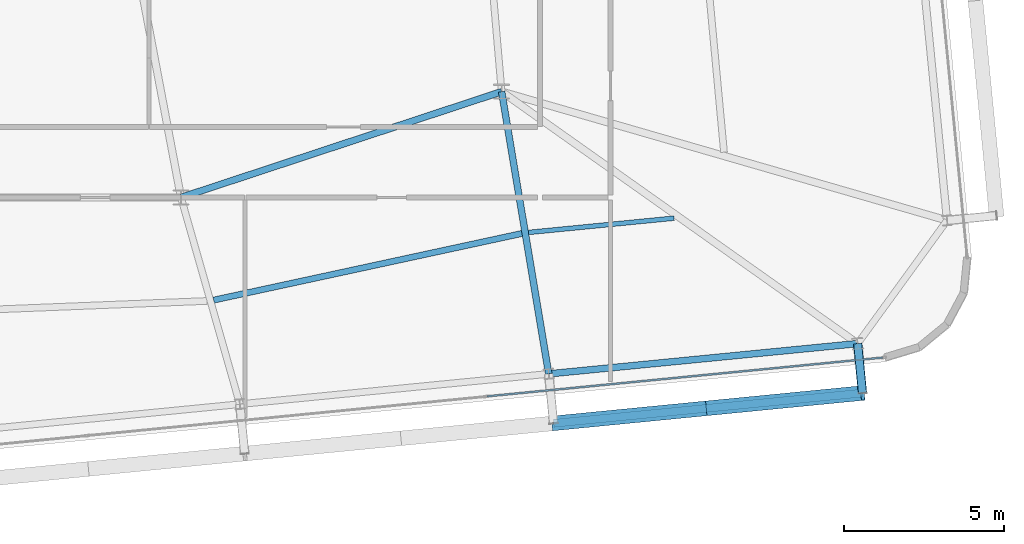
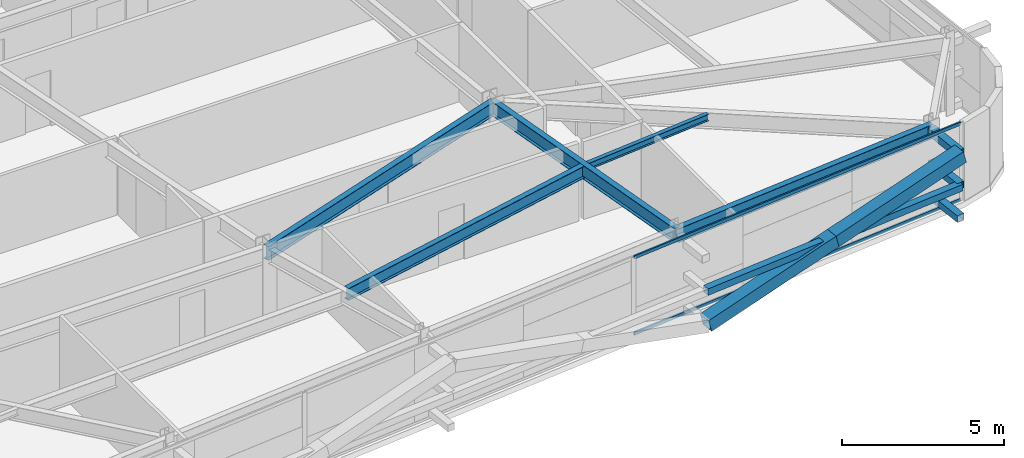
# One storey, part 16 of 47: 8 members, 5 beams, 1 element without a shape of its own.
"""IFC4 building model written with IfcOpenShell, lengths in metres."""

from ifc_helpers import new_model, si_unit, direction, frame, origin, origin_2d, place, context, subcontext, project, spatial, hollow_rectangle, i_section, extrude, source, transform, mapped, material, layer, layer_set, material_profile, profile_set, type_object, element, aggregate, save


model = new_model("IFC4")

# Units and contexts
model_context = context("Model", 3, precision=1e-05, world=origin(), true_north=direction((0.0, 1.0)))
body_context = subcontext(model_context, "Body", "Model", "MODEL_VIEW")
ifc_project = project(units=[si_unit("LENGTHUNIT", "METRE"), si_unit("AREAUNIT", "SQUARE_METRE"), si_unit("VOLUMEUNIT", "CUBIC_METRE"), si_unit("PLANEANGLEUNIT", "RADIAN"), si_unit("MASSUNIT", "GRAM", prefix="KILO")], contexts=[model_context])

# Site, building, storey
site_placement = place(None, origin())
site = spatial("IfcSite", under=ifc_project, at=site_placement, CompositionType="ELEMENT")
building_placement = place(site_placement, origin())
building = spatial("IfcBuilding", under=site, at=building_placement, Name="Taldren Reach Tower", CompositionType="ELEMENT")
storey_placement = place(building_placement, frame((0.0, 0.0, 87.14990234375)))
storey = spatial("IfcBuildingStorey", under=building, at=storey_placement, Name="L26", CompositionType="ELEMENT", Elevation=87.14990234375)

# Beam
ifc_material_1 = material(Name="Steel Gr 350 (350PLUS)", Category="steel")
ifc_material_profile_1 = material_profile(ifc_material_1, i_section(OverallWidth=0.208984375, OverallDepth=0.532958984375, WebThickness=0.01025390625, FlangeThickness=0.015625, at=origin_2d()), Name="530UB92.4")
ifc_profile_set_1 = profile_set([ifc_material_profile_1], Name="Steel Gr 350 (350PLUS)")
beam_type_1 = type_object("IfcBeamType", Name="BM-UB530A", PredefinedType="BEAM", material=ifc_profile_set_1)
shared_shape_1 = source(origin(), body_context, "Body", "SweptSolid", [
    extrude(i_section(OverallWidth=0.208984375, OverallDepth=0.532958984375, WebThickness=0.01025390625, FlangeThickness=0.015625, at=origin_2d()), origin(), (0.0, 0.0, 1.0), 10.530517578125),
])
beam_1_placement = place(storey_placement, frame((42.0, 9.199951171875, 2.66357421875), z_axis=(0.949627269203, 0.313381635689, 0.0), x_axis=(-0.313381635689, 0.949627269203, 0.0)))
element("IfcBeam", 1, at=beam_1_placement, inside=storey, type_object=beam_type_1, Name="Core-spine girder L26-SP12", PredefinedType="BEAM", context=body_context, shape_type="MappedRepresentation", body=[
    mapped(shared_shape_1, transform((0.0, 0.0, 0.0), scale=1.0)),
])

# Members
ifc_material_2 = material(Name="Steel Gr 450 (C450L0)", Category="steel")
ifc_material_profile_2 = material_profile(ifc_material_2, hollow_rectangle(XDim=0.27490234375, YDim=0.27490234375, WallThickness=0.00927734375, at=origin_2d()), Name="275x275x9.3SHS")
ifc_profile_set_2 = profile_set([ifc_material_profile_2], Name="Steel Gr 450 (C450L0)")
member_type_1 = type_object("IfcMemberType", Name="MB-TIE273", PredefinedType="STRUT", material=ifc_profile_set_2)
shared_shape_2 = source(origin(), body_context, "Body", "SweptSolid", [
    extrude(hollow_rectangle(XDim=0.27490234375, YDim=0.27490234375, WallThickness=0.00927734375, at=origin_2d()), origin(), (0.0, 0.0, 1.0), 1.5498046875),
])
member_1_placement = place(storey_placement, frame((63.103271484375, 4.64306640625, 2.650146484375), z_axis=(0.097507178627, -0.995234821595, 0.0), x_axis=(0.995234821595, 0.097507178627, 0.0)))
element("IfcMember", 2, at=member_1_placement, inside=storey, type_object=member_type_1, Name="Exoskeleton diaphragm tie strut B2-S6 L26", PredefinedType="STRUT", context=body_context, shape_type="MappedRepresentation", body=[
    mapped(shared_shape_2, transform((0.0, 0.0, 0.0), scale=1.0)),
])
ifc_material_3 = material(Name="Steel Gr 350 (C350L0)", Category="steel")
ifc_material_profile_3 = material_profile(ifc_material_3, hollow_rectangle(XDim=0.25, YDim=0.25, WallThickness=0.010009765625, at=origin_2d()), Name="250x250x10.0SHS")
ifc_profile_set_3 = profile_set([ifc_material_profile_3], Name="Steel Gr 350 (C350L0)")
member_type_2 = type_object("IfcMemberType", Name="MB-POST250", PredefinedType="POST", material=ifc_profile_set_3)
shared_shape_3 = source(origin(), body_context, "Body", "SweptSolid", [
    extrude(hollow_rectangle(XDim=0.25, YDim=0.25, WallThickness=0.010009765625, at=origin_2d()), origin(), (0.0, 0.0, 1.0), 1.5498046875),
])
for number, where, z_axis, x_axis, name in (
    (3, (63.103271484375, 4.64306640625, 0.22021484375), (0.097507178627, -0.995234821595, 0.0), (0.995234821595, 0.097507178627, 0.0), "Exoskeleton base diaphragm tie strut B2-S6 L26"),
    (4, (63.103271484375, 4.64306640625, 1.43505859375), (0.097507178627, -0.995234821595, 0.0), (0.995234821595, 0.097507178627, 0.0), "Exoskeleton mid-tier diaphragm tie B2-S6 L26"),
):
    element("IfcMember", number, at=place(storey_placement, frame(where, z_axis=z_axis, x_axis=x_axis)), inside=storey, type_object=member_type_2, Name=name, PredefinedType="POST", context=body_context, shape_type="MappedRepresentation", body=[
        mapped(shared_shape_3, transform((0.0, 0.0, 0.0), scale=1.0)),
    ])

# Beams
ifc_material_profile_4 = material_profile(ifc_material_1, i_section(OverallWidth=0.208984375, OverallDepth=0.528076171875, WebThickness=0.009521484375, FlangeThickness=0.01318359375, at=origin_2d()), Name="530UB82.0")
ifc_profile_set_4 = profile_set([ifc_material_profile_4], Name="Steel Gr 350 (350PLUS)")
beam_type_2 = type_object("IfcBeamType", Name="SP-UB530B", PredefinedType="SPANDREL", material=ifc_profile_set_4)
shared_shape_4 = source(origin(), body_context, "Body", "SweptSolid", [
    extrude(i_section(OverallWidth=0.208984375, OverallDepth=0.528076171875, WebThickness=0.009521484375, FlangeThickness=0.01318359375, at=origin_2d()), origin(), (0.0, 0.0, 1.0), 9.679931640625),
])
beam_2_placement = place(storey_placement, frame((53.469482421875, 3.698486328125, 2.666015625), z_axis=(0.995227612658, 0.097580730699, 0.0), x_axis=(-0.097580730699, 0.995227612658, 0.0)))
element("IfcBeam", 5, at=beam_2_placement, inside=storey, type_object=beam_type_2, Name="Perimeter spandrel B2 S5-S6 L26", PredefinedType="SPANDREL", context=body_context, shape_type="MappedRepresentation", body=[
    mapped(shared_shape_4, transform((0.0, 0.0, 0.0), scale=1.0)),
])
shared_shape_5 = source(origin(), body_context, "Body", "SweptSolid", [
    extrude(i_section(OverallWidth=0.208984375, OverallDepth=0.532958984375, WebThickness=0.01025390625, FlangeThickness=0.015625, at=origin_2d()), origin(), (0.0, 0.0, 1.0), 8.92333984375),
])
beam_3_placement = place(storey_placement, frame((52.0, 12.5, 2.66357421875), z_axis=(0.164678494096, -0.986347298664, 0.0), x_axis=(0.986347298664, 0.164678494096, 0.0)))
element("IfcBeam", 6, at=beam_3_placement, inside=storey, type_object=beam_type_1, Name="Primary floor girder B2-S5 L26", PredefinedType="BEAM", context=body_context, shape_type="MappedRepresentation", body=[
    mapped(shared_shape_5, transform((0.0, 0.0, 0.0), scale=1.0)),
])
ifc_material_profile_5 = material_profile(ifc_material_1, i_section(OverallWidth=0.19091796875, OverallDepth=0.4599609375, WebThickness=0.010009765625, FlangeThickness=0.01611328125, at=origin_2d()), Name="460UB82.1")
ifc_profile_set_5 = profile_set([ifc_material_profile_5], Name="Steel Gr 350 (350PLUS)")
beam_type_3 = type_object("IfcBeamType", Name="BM-UB460A", PredefinedType="BEAM", material=ifc_profile_set_5)
shared_shape_6 = source(origin(), body_context, "Body", "SweptSolid", [
    extrude(i_section(OverallWidth=0.19091796875, OverallDepth=0.4599609375, WebThickness=0.010009765625, FlangeThickness=0.01611328125, at=origin_2d()), origin(), (0.0, 0.0, 1.0), 9.83447265625),
])
beam_4_placement = place(storey_placement, frame((43.02001953125, 5.9990234375, 2.7001953125), z_axis=(0.977418600156, 0.211312280924, 0.0), x_axis=(-0.211312280924, 0.977418600156, 0.0)))
element("IfcBeam", 7, at=beam_4_placement, inside=storey, type_object=beam_type_3, Name="Secondary floor beam B2 J4 L26", PredefinedType="BEAM", context=body_context, shape_type="MappedRepresentation", body=[
    mapped(shared_shape_6, transform((0.0, 0.0, 0.0), scale=1.0)),
])
ifc_material_4 = material(Name="Steel Gr 300 (300PLUS, 300 MPa)", Category="steel")
ifc_material_profile_6 = material_profile(ifc_material_4, i_section(OverallWidth=0.14599609375, OverallDepth=0.256103515625, WebThickness=0.00634765625, FlangeThickness=0.010986328125, at=origin_2d()), Name="250UB37.3")
ifc_profile_set_6 = profile_set([ifc_material_profile_6], Name="Steel Gr 300 (300PLUS, 300 MPa)")
beam_type_4 = type_object("IfcBeamType", Name="JS-UB250", PredefinedType="JOIST", material=ifc_profile_set_6)
shared_shape_7 = source(origin(), body_context, "Body", "SweptSolid", [
    extrude(i_section(OverallWidth=0.14599609375, OverallDepth=0.256103515625, WebThickness=0.00634765625, FlangeThickness=0.010986328125, at=origin_2d()), origin(), (0.0, 0.0, 1.0), 4.56103515625),
])
beam_5_placement = place(storey_placement, frame((52.8388671875, 8.109375, 2.802001953125), z_axis=(0.995227709746, 0.097579740487, 0.0), x_axis=(-0.097579740487, 0.995227709746, 0.0)))
element("IfcBeam", 8, at=beam_5_placement, inside=storey, type_object=beam_type_4, Name="Secondary floor joist B2 J5 L26", PredefinedType="JOIST", context=body_context, shape_type="MappedRepresentation", body=[
    mapped(shared_shape_7, transform((0.0, 0.0, 0.0), scale=1.0)),
])

# Members
ifc_material_profile_7 = material_profile(ifc_material_2, hollow_rectangle(XDim=0.4599609375, YDim=0.4599609375, WallThickness=0.01611328125, at=origin_2d()), Name="460x460x16.0SHS")
ifc_profile_set_7 = profile_set([ifc_material_profile_7], Name="Steel Gr 450 (C450L0)")
member_type_3 = type_object("IfcMemberType", Name="MB-EXO457", PredefinedType="BRACE", material=ifc_profile_set_7)
shared_shape_8 = source(origin(), body_context, "Body", "SweptSolid", [
    extrude(hollow_rectangle(XDim=0.4599609375, YDim=0.4599609375, WallThickness=0.01611328125, at=origin_2d()), origin(), (0.0, 0.0, 1.0), 4.990234375),
])
for number, where, z_axis, x_axis, name in (
    (9, (53.62060546875, 2.156005859375, 0.22021484375), (0.965287024526, 0.094620633828, 0.24344998652), (-0.097555749586, 0.995230061706, 0.0), "Exoskeleton Diagrid Brace B2-S5 L26"),
    (10, (58.4375, 2.628173828125, 1.43505859375), (0.965271056716, 0.094667992638, 0.243494883389), (-0.097605711627, 0.995225162995, 0.0), "Exoskeleton Diagrid Brace B2-S5 L26"),
):
    element("IfcMember", number, at=place(storey_placement, frame(where, z_axis=z_axis, x_axis=x_axis)), inside=storey, type_object=member_type_3, Name=name, PredefinedType="BRACE", context=body_context, shape_type="MappedRepresentation", body=[
        mapped(shared_shape_8, transform((0.0, 0.0, 0.0), scale=1.0)),
    ])
shared_shape_9 = source(origin(), body_context, "Body", "SweptSolid", [
    extrude(hollow_rectangle(XDim=0.25, YDim=0.25, WallThickness=0.010009765625, at=origin_2d()), origin(), (0.0, 0.0, 1.0), 9.679931640625),
])
member_2_placement = place(storey_placement, frame((53.62060546875, 2.156005859375, 1.43505859375), z_axis=(0.995227612658, 0.097580730699, 0.0), x_axis=(-0.097580730699, 0.995227612658, 0.0)))
element("IfcMember", 11, at=member_2_placement, inside=storey, type_object=member_type_2, Name="Exoskeleton mid-height ring chord B2-S5 L26", PredefinedType="POST", context=body_context, shape_type="MappedRepresentation", body=[
    mapped(shared_shape_9, transform((0.0, 0.0, 0.0), scale=1.0)),
])

# Curtain wall, members
ifc_material_5 = material(Name="Aluminium and Low-E Glass Unitised System", Category="aluminium")
ifc_layer = layer(ifc_material_5, 0.159912109375)
ifc_layer_set = layer_set([ifc_layer], Name="Aluminium and Low-E Glass Unitised System")
curtain_wall_type = type_object("IfcCurtainWallType", Name="CW-SYS-3", PredefinedType="NOTDEFINED", material=ifc_layer_set)
curtain_wall_placement = place(storey_placement, origin())
curtain_wall = element("IfcCurtainWall", 12, at=curtain_wall_placement, inside=storey, type_object=curtain_wall_type, Name="Unitised curtain wall CW-L26-S", PredefinedType="NOTDEFINED")
ifc_material_6 = material(Name="Anodised Aluminium 6063-T6", Category="aluminium")
ifc_material_profile_8 = material_profile(ifc_material_6, hollow_rectangle(XDim=0.054931640625, YDim=0.1201171875, WallThickness=0.0029296875, at=origin_2d()), Name="ALU-120x55x3RHS")
ifc_profile_set_8 = profile_set([ifc_material_profile_8], Name="Anodised Aluminium 6063-T6")
member_type_4 = type_object("IfcMemberType", Name="CW-TRN-135", PredefinedType="USERDEFINED", material=ifc_profile_set_8)
shared_shape_10 = source(origin(), body_context, "Body", "SweptSolid", [
    extrude(hollow_rectangle(XDim=0.054931640625, YDim=0.1201171875, WallThickness=0.0029296875, at=origin_2d()), origin(), (0.0, 0.0, 1.0), 12.402587890625),
])
member_3_placement = place(storey_placement, frame((51.541015625, 2.9970703125, 0.027587890625), z_axis=(0.99522807535, 0.097576011581, 0.0), x_axis=(-0.097576011581, 0.99522807535, 0.0)))
member_3 = element("IfcMember", 13, at=member_3_placement, type_object=member_type_4, Name="CW-3 transom 4.1", ObjectType="TRANSOM", PredefinedType="USERDEFINED", context=body_context, shape_type="MappedRepresentation", body=[
    mapped(shared_shape_10, transform((0.0, 0.0, 0.0), scale=1.0)),
])
member_4_placement = place(storey_placement, frame((51.541015625, 2.9970703125, 2.902587890625), z_axis=(0.99522807535, 0.097576011581, 0.0), x_axis=(-0.097576011581, 0.99522807535, 0.0)))
member_4 = element("IfcMember", 14, at=member_4_placement, type_object=member_type_4, Name="CW-3 transom 4.2", ObjectType="TRANSOM", PredefinedType="USERDEFINED", context=body_context, shape_type="MappedRepresentation", body=[
    mapped(shared_shape_10, transform((0.0, 0.0, 0.0), scale=1.0)),
])
aggregate(curtain_wall, [member_3, member_4])

save(model, "model.ifc")
